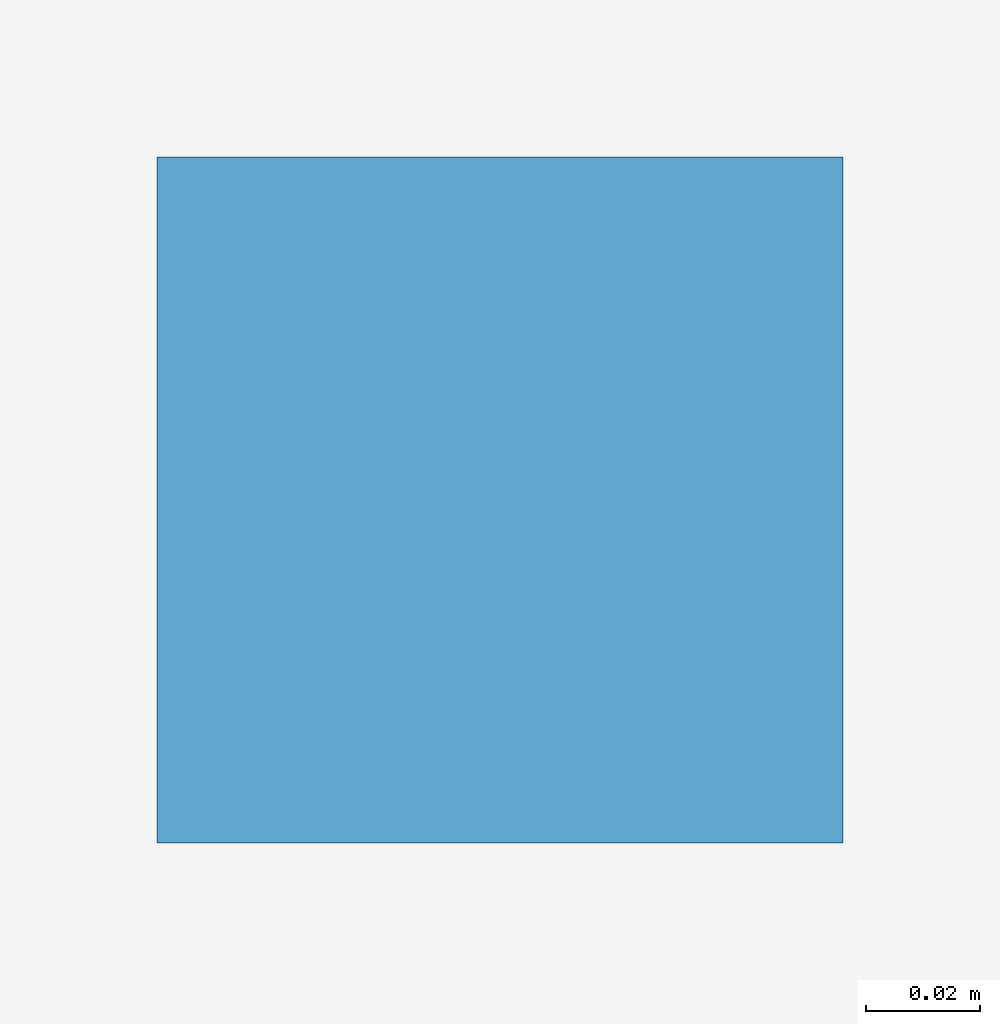
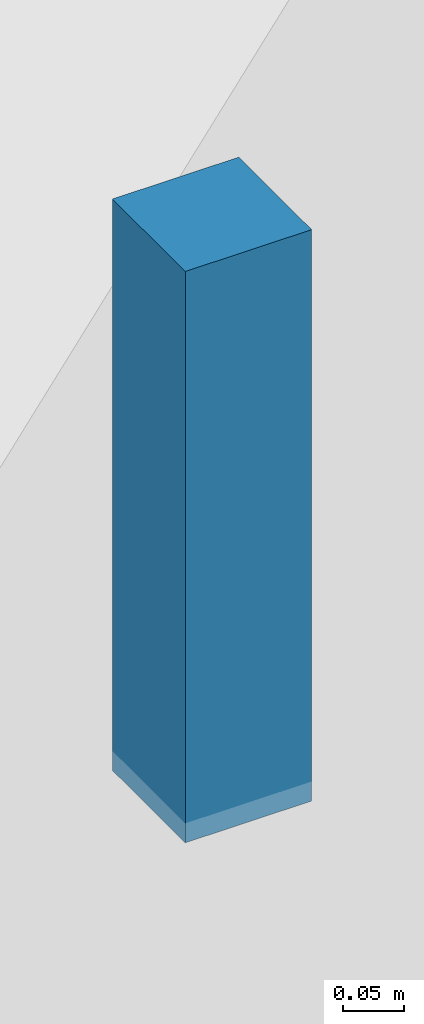
# One storey, part 62 of 77: 1 discrete accessory.
"""IFC4 building model written with IfcOpenShell, lengths in metres."""

from ifc_helpers import new_model, si_unit, direction, frame, origin, origin_2d, place, context, subcontext, project, spatial, rectangle, extrude, material, layer, layer_set, type_object, element, save


model = new_model("IFC4")

# Units and contexts
model_context = context("Model", 3, precision=1e-05, world=origin(), true_north=direction((0.0, 1.0)))
body_context = subcontext(model_context, "Body", "Model", "MODEL_VIEW")
ifc_project = project(units=[si_unit("LENGTHUNIT", "METRE"), si_unit("AREAUNIT", "SQUARE_METRE"), si_unit("VOLUMEUNIT", "CUBIC_METRE"), si_unit("PLANEANGLEUNIT", "RADIAN"), si_unit("MASSUNIT", "GRAM", prefix="KILO")], contexts=[model_context])

# Site, building, storey
site_placement = place(None, origin())
site = spatial("IfcSite", under=ifc_project, at=site_placement, CompositionType="ELEMENT")
building_placement = place(site_placement, origin())
building = spatial("IfcBuilding", under=site, at=building_placement, Name="Luwafu Chhajja Arena", CompositionType="ELEMENT")
storey_placement = place(building_placement, frame((0.0, 0.0, 14.699951171875)))
storey = spatial("IfcBuildingStorey", under=building, at=storey_placement, Name="L03", CompositionType="ELEMENT", Elevation=14.699951171875)

# Discrete accessory
ifc_material = material(Name="Stainless steel bracket", Category="steel")
ifc_layer = layer(ifc_material, 0.179931640625, Name="Stainless steel bracket")
ifc_layer_set = layer_set([ifc_layer], Name="Stainless steel bracket")
discrete_accessory_type = type_object("IfcDiscreteAccessoryType", Name="Stainless Steel Facade Support Bracket", PredefinedType="BRACKET", material=ifc_layer_set)
discrete_accessory_placement = place(storey_placement, frame((49.699951171875, 71.5, 3.93603515625), z_axis=(0.0, 0.0, 1.0), x_axis=(1.0, 0.0, 0.0)))
element("IfcDiscreteAccessory", 1, at=discrete_accessory_placement, inside=storey, type_object=discrete_accessory_type, Name="L03 Ceiling Suspension Hanger 047", PredefinedType="BRACKET", context=body_context, shape_type="SweptSolid", body=[
    extrude(rectangle(XDim=0.1201171875, YDim=0.1201171875, at=origin_2d()), origin(), (0.0, 0.0, 1.0), 0.573974609375),
])

save(model, "model.ifc")
